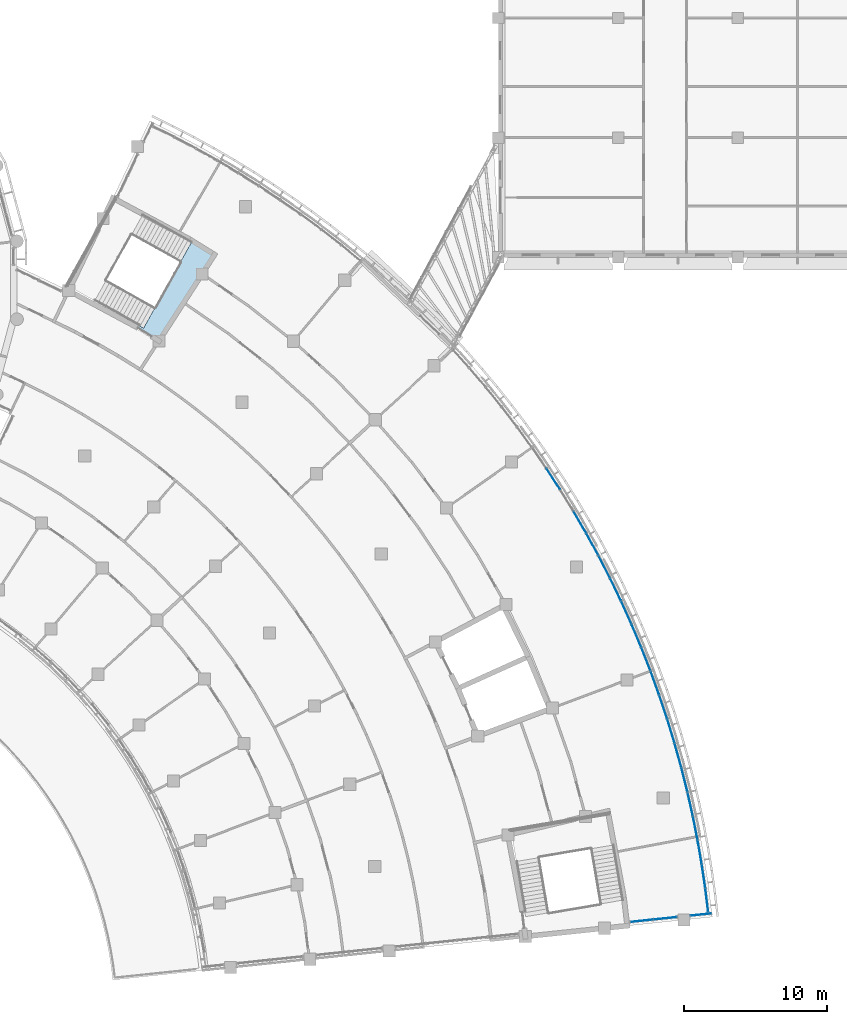
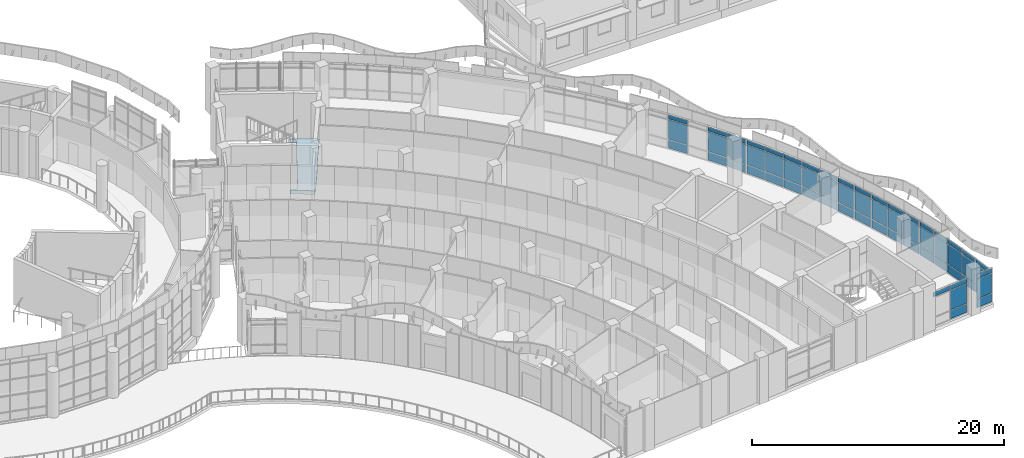
# One storey, part 51 of 136: 61 plates, 1 slab, 6 elements without a shape of their own.
"""IFC4 building model written with IfcOpenShell, lengths in metres."""

from ifc_helpers import new_model, si_unit, direction, frame, origin, origin_2d, place, context, subcontext, project, spatial, polyline, rectangle, outline, extrude, material, layer, layer_set, type_object, element, aggregate, save


model = new_model("IFC4")

# Units and contexts
model_context = context("Model", 3, precision=1e-05, world=origin(), true_north=direction((0.0, 1.0)))
body_context = subcontext(model_context, "Body", "Model", "MODEL_VIEW")
ifc_project = project(units=[si_unit("LENGTHUNIT", "METRE"), si_unit("AREAUNIT", "SQUARE_METRE"), si_unit("VOLUMEUNIT", "CUBIC_METRE"), si_unit("PLANEANGLEUNIT", "RADIAN"), si_unit("MASSUNIT", "GRAM", prefix="KILO")], contexts=[model_context])

# Site, building, storey
site_placement = place(None, origin())
site = spatial("IfcSite", under=ifc_project, at=site_placement, CompositionType="ELEMENT")
building_placement = place(site_placement, origin())
building = spatial("IfcBuilding", under=site, at=building_placement, Name="Bougainvillea Quay General Hospital", CompositionType="ELEMENT")
storey_placement = place(building_placement, frame((0.0, 0.0, 5.39990234375)))
storey = spatial("IfcBuildingStorey", under=building, at=storey_placement, Name="L01", CompositionType="ELEMENT", Elevation=5.39990234375)

# Curtain wall, plates
ifc_material_1 = material(Name="Aluminium curtain wall system, powder-coated glazed", Category="aluminium")
curtain_wall_type_1 = type_object("IfcCurtainWallType", Name="Unitised curtain wall CW-1691", PredefinedType="NOTDEFINED", material=ifc_material_1)
curtain_wall_1_placement = place(storey_placement, origin())
curtain_wall_1 = element("IfcCurtainWall", 1, at=curtain_wall_1_placement, inside=storey, type_object=curtain_wall_type_1, Name="CW-AE 04", PredefinedType="NOTDEFINED")
ifc_material_2 = material(Name="Insulated aluminium spandrel panel, white", Category="aluminium")
ifc_layer_1 = layer(ifc_material_2, 0.028076171875)
ifc_layer_set_1 = layer_set([ifc_layer_1], Name="Insulated aluminium spandrel panel, white")
plate_type_1 = type_object("IfcPlateType", Name="Insulated spandrel panel white 28", PredefinedType="CURTAIN_PANEL", material=ifc_layer_set_1)
plate_1_placement = place(storey_placement, frame((173.8525390625, 29.046630859375, 2.88037109375), z_axis=(0.0, 0.0, 1.0), x_axis=(0.9945220309, 0.104527173765, 0.0)))
plate_1 = element("IfcPlate", 2, at=plate_1_placement, type_object=plate_type_1, Name="CW-AE spandrel panel 1.3", PredefinedType="CURTAIN_PANEL", context=body_context, shape_type="SweptSolid", body=[
    extrude(rectangle(XDim=1.60009765625, YDim=0.028076171875, at=origin_2d()), origin(), (0.0, 0.0, 1.0), 0.409912109375),
])
plate_2_placement = place(storey_placement, frame((175.503662109375, 29.22021484375, 0.06005859375), z_axis=(0.0, 0.0, 1.0), x_axis=(0.9945220309, 0.104527173765, 0.0)))
plate_2 = element("IfcPlate", 3, at=plate_2_placement, type_object=plate_type_1, Name="CW-AE spandrel panel 2.1", PredefinedType="CURTAIN_PANEL", context=body_context, shape_type="SweptSolid", body=[
    extrude(rectangle(XDim=1.60009765625, YDim=0.028076171875, at=origin_2d()), origin(), (0.0, 0.0, 1.0), 0.81005859375),
])
plate_3_placement = place(storey_placement, frame((175.503662109375, 29.22021484375, 2.88037109375), z_axis=(0.0, 0.0, 1.0), x_axis=(0.9945220309, 0.104527173765, 0.0)))
plate_3 = element("IfcPlate", 4, at=plate_3_placement, type_object=plate_type_1, Name="CW-AE spandrel panel 2.3", PredefinedType="CURTAIN_PANEL", context=body_context, shape_type="SweptSolid", body=[
    extrude(rectangle(XDim=1.60009765625, YDim=0.028076171875, at=origin_2d()), origin(), (0.0, 0.0, 1.0), 0.409912109375),
])

curtain_wall_type_2 = type_object("IfcCurtainWallType", Name="Unitised curtain wall CW-1556", PredefinedType="NOTDEFINED", material=ifc_material_1)
curtain_wall_2_placement = place(storey_placement, origin())
curtain_wall_2 = element("IfcCurtainWall", 5, at=curtain_wall_2_placement, inside=storey, type_object=curtain_wall_type_2, Name="CW-AE 05", PredefinedType="NOTDEFINED")
plate_4_placement = place(storey_placement, frame((178.017333984375, 29.484375, 0.06005859375), z_axis=(0.0, 0.0, 1.0), x_axis=(0.9945220309, 0.104527173765, 0.0)))
plate_4 = element("IfcPlate", 6, at=plate_4_placement, type_object=plate_type_1, Name="CW-AE spandrel panel 1.1", PredefinedType="CURTAIN_PANEL", context=body_context, shape_type="SweptSolid", body=[
    extrude(rectangle(XDim=1.435302734375, YDim=0.028076171875, at=origin_2d()), origin(), (0.0, 0.0, 1.0), 0.81005859375),
])
plate_5_placement = place(storey_placement, frame((178.017333984375, 29.484375, 2.88037109375), z_axis=(0.0, 0.0, 1.0), x_axis=(0.9945220309, 0.104527173765, 0.0)))
plate_5 = element("IfcPlate", 7, at=plate_5_placement, type_object=plate_type_1, Name="CW-AE spandrel panel 1.3", PredefinedType="CURTAIN_PANEL", context=body_context, shape_type="SweptSolid", body=[
    extrude(rectangle(XDim=1.435302734375, YDim=0.028076171875, at=origin_2d()), origin(), (0.0, 0.0, 1.0), 0.409912109375),
])

curtain_wall_type_3 = type_object("IfcCurtainWallType", Name="Unitised curtain wall CW-2100", PredefinedType="NOTDEFINED", material=ifc_material_1)
curtain_wall_3_placement = place(storey_placement, origin())
curtain_wall_3 = element("IfcCurtainWall", 8, at=curtain_wall_3_placement, inside=storey, type_object=curtain_wall_type_3, Name="CW-E05 a23b4", PredefinedType="NOTDEFINED")
plate_6_placement = place(storey_placement, frame((167.654052734375, 60.04541015625, 0.06005859375), z_axis=(0.0, 0.0, 1.0), x_axis=(0.545493585615, -0.838114996915, 0.0)))
plate_6 = element("IfcPlate", 9, at=plate_6_placement, type_object=plate_type_1, Name="CW-E05 spandrel panel 2.1", PredefinedType="CURTAIN_PANEL", context=body_context, shape_type="SweptSolid", body=[
    extrude(rectangle(XDim=1.72021484375, YDim=0.028076171875, at=origin_2d()), origin(), (0.0, 0.0, 1.0), 0.81005859375),
])
plate_7_placement = place(storey_placement, frame((167.654052734375, 60.04541015625, 2.88037109375), z_axis=(0.0, 0.0, 1.0), x_axis=(0.545493585615, -0.838114996915, 0.0)))
plate_7 = element("IfcPlate", 10, at=plate_7_placement, type_object=plate_type_1, Name="CW-E05 spandrel panel 2.3", PredefinedType="CURTAIN_PANEL", context=body_context, shape_type="SweptSolid", body=[
    extrude(rectangle(XDim=1.72021484375, YDim=0.028076171875, at=origin_2d()), origin(), (0.0, 0.0, 1.0), 0.409912109375),
])
plate_8_placement = place(storey_placement, frame((169.519287109375, 57.01318359375, 0.06005859375), z_axis=(0.0, 0.0, 1.0), x_axis=(0.502018002187, -0.864857170567, 0.0)))
plate_8 = element("IfcPlate", 11, at=plate_8_placement, type_object=plate_type_1, Name="CW-E05 spandrel panel 4.1", PredefinedType="CURTAIN_PANEL", context=body_context, shape_type="SweptSolid", body=[
    extrude(rectangle(XDim=1.72021484375, YDim=0.028076171875, at=origin_2d()), origin(), (0.0, 0.0, 1.0), 0.81005859375),
])
plate_9_placement = place(storey_placement, frame((169.519287109375, 57.01318359375, 2.88037109375), z_axis=(0.0, 0.0, 1.0), x_axis=(0.502018002187, -0.864857170567, 0.0)))
plate_9 = element("IfcPlate", 12, at=plate_9_placement, type_object=plate_type_1, Name="CW-E05 spandrel panel 4.3", PredefinedType="CURTAIN_PANEL", context=body_context, shape_type="SweptSolid", body=[
    extrude(rectangle(XDim=1.72021484375, YDim=0.028076171875, at=origin_2d()), origin(), (0.0, 0.0, 1.0), 0.409912109375),
])
plate_10_placement = place(storey_placement, frame((170.385986328125, 55.4755859375, 0.06005859375), z_axis=(0.0, 0.0, 1.0), x_axis=(0.479782535044, -0.877387439543, 0.0)))
plate_10 = element("IfcPlate", 13, at=plate_10_placement, type_object=plate_type_1, Name="CW-E05 spandrel panel 5.1", PredefinedType="CURTAIN_PANEL", context=body_context, shape_type="SweptSolid", body=[
    extrude(rectangle(XDim=1.690185546875, YDim=0.028076171875, at=origin_2d()), origin(), (0.0, 0.0, 1.0), 0.81005859375),
])
plate_11_placement = place(storey_placement, frame((170.385986328125, 55.4755859375, 2.88037109375), z_axis=(0.0, 0.0, 1.0), x_axis=(0.479782535044, -0.877387439543, 0.0)))
plate_11 = element("IfcPlate", 14, at=plate_11_placement, type_object=plate_type_1, Name="CW-E05 spandrel panel 5.3", PredefinedType="CURTAIN_PANEL", context=body_context, shape_type="SweptSolid", body=[
    extrude(rectangle(XDim=1.690185546875, YDim=0.028076171875, at=origin_2d()), origin(), (0.0, 0.0, 1.0), 0.409912109375),
])

curtain_wall_4_placement = place(storey_placement, origin())
curtain_wall_4 = element("IfcCurtainWall", 15, at=curtain_wall_4_placement, inside=storey, type_object=curtain_wall_type_3, Name="CW-E06 a23b5", PredefinedType="NOTDEFINED")
plate_12_placement = place(storey_placement, frame((171.234130859375, 53.87646484375, 0.06005859375), z_axis=(0.0, 0.0, 1.0), x_axis=(0.457234526215, -0.889346157599, 0.0)))
plate_12 = element("IfcPlate", 16, at=plate_12_placement, type_object=plate_type_1, Name="CW-E06 spandrel panel 1.1", PredefinedType="CURTAIN_PANEL", context=body_context, shape_type="SweptSolid", body=[
    extrude(rectangle(XDim=1.690185546875, YDim=0.028076171875, at=origin_2d()), origin(), (0.0, 0.0, 1.0), 0.81005859375),
])
plate_13_placement = place(storey_placement, frame((171.234130859375, 53.87646484375, 2.88037109375), z_axis=(0.0, 0.0, 1.0), x_axis=(0.457234526215, -0.889346157599, 0.0)))
plate_13 = element("IfcPlate", 17, at=plate_13_placement, type_object=plate_type_1, Name="CW-E06 spandrel panel 1.3", PredefinedType="CURTAIN_PANEL", context=body_context, shape_type="SweptSolid", body=[
    extrude(rectangle(XDim=1.690185546875, YDim=0.028076171875, at=origin_2d()), origin(), (0.0, 0.0, 1.0), 0.409912109375),
])
plate_14_placement = place(storey_placement, frame((172.02099609375, 52.29638671875, 0.06005859375), z_axis=(0.0, 0.0, 1.0), x_axis=(0.434388664007, -0.900725534545, 0.0)))
plate_14 = element("IfcPlate", 18, at=plate_14_placement, type_object=plate_type_1, Name="CW-E06 spandrel panel 2.1", PredefinedType="CURTAIN_PANEL", context=body_context, shape_type="SweptSolid", body=[
    extrude(rectangle(XDim=1.72021484375, YDim=0.028076171875, at=origin_2d()), origin(), (0.0, 0.0, 1.0), 0.81005859375),
])
plate_15_placement = place(storey_placement, frame((172.02099609375, 52.29638671875, 2.88037109375), z_axis=(0.0, 0.0, 1.0), x_axis=(0.434388664007, -0.900725534545, 0.0)))
plate_15 = element("IfcPlate", 19, at=plate_15_placement, type_object=plate_type_1, Name="CW-E06 spandrel panel 2.3", PredefinedType="CURTAIN_PANEL", context=body_context, shape_type="SweptSolid", body=[
    extrude(rectangle(XDim=1.72021484375, YDim=0.028076171875, at=origin_2d()), origin(), (0.0, 0.0, 1.0), 0.409912109375),
])
plate_16_placement = place(storey_placement, frame((172.773681640625, 50.683349609375, 0.06005859375), z_axis=(0.0, 0.0, 1.0), x_axis=(0.411259830755, -0.911518157585, 0.0)))
plate_16 = element("IfcPlate", 20, at=plate_16_placement, type_object=plate_type_1, Name="CW-E06 spandrel panel 3.1", PredefinedType="CURTAIN_PANEL", context=body_context, shape_type="SweptSolid", body=[
    extrude(rectangle(XDim=1.72021484375, YDim=0.028076171875, at=origin_2d()), origin(), (0.0, 0.0, 1.0), 0.81005859375),
])
plate_17_placement = place(storey_placement, frame((172.773681640625, 50.683349609375, 2.88037109375), z_axis=(0.0, 0.0, 1.0), x_axis=(0.411259830755, -0.911518157585, 0.0)))
plate_17 = element("IfcPlate", 21, at=plate_17_placement, type_object=plate_type_1, Name="CW-E06 spandrel panel 3.3", PredefinedType="CURTAIN_PANEL", context=body_context, shape_type="SweptSolid", body=[
    extrude(rectangle(XDim=1.72021484375, YDim=0.028076171875, at=origin_2d()), origin(), (0.0, 0.0, 1.0), 0.409912109375),
])
plate_18_placement = place(storey_placement, frame((173.48486328125, 49.051513671875, 0.06005859375), z_axis=(0.0, 0.0, 1.0), x_axis=(0.387863093127, -0.921716996149, 0.0)))
plate_18 = element("IfcPlate", 22, at=plate_18_placement, type_object=plate_type_1, Name="CW-E06 spandrel panel 4.1", PredefinedType="CURTAIN_PANEL", context=body_context, shape_type="SweptSolid", body=[
    extrude(rectangle(XDim=1.72021484375, YDim=0.028076171875, at=origin_2d()), origin(), (0.0, 0.0, 1.0), 0.81005859375),
])
plate_19_placement = place(storey_placement, frame((173.48486328125, 49.051513671875, 2.88037109375), z_axis=(0.0, 0.0, 1.0), x_axis=(0.387863093127, -0.921716996149, 0.0)))
plate_19 = element("IfcPlate", 23, at=plate_19_placement, type_object=plate_type_1, Name="CW-E06 spandrel panel 4.3", PredefinedType="CURTAIN_PANEL", context=body_context, shape_type="SweptSolid", body=[
    extrude(rectangle(XDim=1.72021484375, YDim=0.028076171875, at=origin_2d()), origin(), (0.0, 0.0, 1.0), 0.409912109375),
])
plate_20_placement = place(storey_placement, frame((174.14892578125, 47.416015625, 0.06005859375), z_axis=(0.0, 0.0, 1.0), x_axis=(0.364213692311, -0.931315406472, 0.0)))
plate_20 = element("IfcPlate", 24, at=plate_20_placement, type_object=plate_type_1, Name="CW-E06 spandrel panel 5.1", PredefinedType="CURTAIN_PANEL", context=body_context, shape_type="SweptSolid", body=[
    extrude(rectangle(XDim=1.690185546875, YDim=0.028076171875, at=origin_2d()), origin(), (0.0, 0.0, 1.0), 0.81005859375),
])
plate_21_placement = place(storey_placement, frame((174.14892578125, 47.416015625, 2.88037109375), z_axis=(0.0, 0.0, 1.0), x_axis=(0.364213692311, -0.931315406472, 0.0)))
plate_21 = element("IfcPlate", 25, at=plate_21_placement, type_object=plate_type_1, Name="CW-E06 spandrel panel 5.3", PredefinedType="CURTAIN_PANEL", context=body_context, shape_type="SweptSolid", body=[
    extrude(rectangle(XDim=1.690185546875, YDim=0.028076171875, at=origin_2d()), origin(), (0.0, 0.0, 1.0), 0.409912109375),
])

curtain_wall_5_placement = place(storey_placement, origin())
curtain_wall_5 = element("IfcCurtainWall", 26, at=curtain_wall_5_placement, inside=storey, type_object=curtain_wall_type_3, Name="CW-E07 a23b6", PredefinedType="NOTDEFINED")
plate_22_placement = place(storey_placement, frame((174.78662109375, 45.721923828125, 0.06005859375), z_axis=(0.0, 0.0, 1.0), x_axis=(0.340327034086, -0.940307135924, 0.0)))
plate_22 = element("IfcPlate", 27, at=plate_22_placement, type_object=plate_type_1, Name="CW-E07 spandrel panel 1.1", PredefinedType="CURTAIN_PANEL", context=body_context, shape_type="SweptSolid", body=[
    extrude(rectangle(XDim=1.690185546875, YDim=0.028076171875, at=origin_2d()), origin(), (0.0, 0.0, 1.0), 0.81005859375),
])
plate_23_placement = place(storey_placement, frame((174.78662109375, 45.721923828125, 2.88037109375), z_axis=(0.0, 0.0, 1.0), x_axis=(0.340327034086, -0.940307135924, 0.0)))
plate_23 = element("IfcPlate", 28, at=plate_23_placement, type_object=plate_type_1, Name="CW-E07 spandrel panel 1.3", PredefinedType="CURTAIN_PANEL", context=body_context, shape_type="SweptSolid", body=[
    extrude(rectangle(XDim=1.690185546875, YDim=0.028076171875, at=origin_2d()), origin(), (0.0, 0.0, 1.0), 0.409912109375),
])
plate_24_placement = place(storey_placement, frame((175.365966796875, 44.0546875, 0.06005859375), z_axis=(0.0, 0.0, 1.0), x_axis=(0.316218678786, -0.948686327079, 0.0)))
plate_24 = element("IfcPlate", 29, at=plate_24_placement, type_object=plate_type_1, Name="CW-E07 spandrel panel 2.1", PredefinedType="CURTAIN_PANEL", context=body_context, shape_type="SweptSolid", body=[
    extrude(rectangle(XDim=1.72021484375, YDim=0.028076171875, at=origin_2d()), origin(), (0.0, 0.0, 1.0), 0.81005859375),
])
plate_25_placement = place(storey_placement, frame((175.365966796875, 44.0546875, 2.88037109375), z_axis=(0.0, 0.0, 1.0), x_axis=(0.316218678786, -0.948686327079, 0.0)))
plate_25 = element("IfcPlate", 30, at=plate_25_placement, type_object=plate_type_1, Name="CW-E07 spandrel panel 2.3", PredefinedType="CURTAIN_PANEL", context=body_context, shape_type="SweptSolid", body=[
    extrude(rectangle(XDim=1.72021484375, YDim=0.028076171875, at=origin_2d()), origin(), (0.0, 0.0, 1.0), 0.409912109375),
])
plate_26_placement = place(storey_placement, frame((175.9072265625, 42.35888671875, 0.06005859375), z_axis=(0.0, 0.0, 1.0), x_axis=(0.291904331163, -0.956447521534, 0.0)))
plate_26 = element("IfcPlate", 31, at=plate_26_placement, type_object=plate_type_1, Name="CW-E07 spandrel panel 3.1", PredefinedType="CURTAIN_PANEL", context=body_context, shape_type="SweptSolid", body=[
    extrude(rectangle(XDim=1.72021484375, YDim=0.028076171875, at=origin_2d()), origin(), (0.0, 0.0, 1.0), 0.81005859375),
])
plate_27_placement = place(storey_placement, frame((175.9072265625, 42.35888671875, 2.88037109375), z_axis=(0.0, 0.0, 1.0), x_axis=(0.291904331163, -0.956447521534, 0.0)))
plate_27 = element("IfcPlate", 32, at=plate_27_placement, type_object=plate_type_1, Name="CW-E07 spandrel panel 3.3", PredefinedType="CURTAIN_PANEL", context=body_context, shape_type="SweptSolid", body=[
    extrude(rectangle(XDim=1.72021484375, YDim=0.028076171875, at=origin_2d()), origin(), (0.0, 0.0, 1.0), 0.409912109375),
])
plate_28_placement = place(storey_placement, frame((176.405029296875, 40.649658203125, 0.06005859375), z_axis=(0.0, 0.0, 1.0), x_axis=(0.267399830158, -0.963585663463, 0.0)))
plate_28 = element("IfcPlate", 33, at=plate_28_placement, type_object=plate_type_1, Name="CW-E07 spandrel panel 4.1", PredefinedType="CURTAIN_PANEL", context=body_context, shape_type="SweptSolid", body=[
    extrude(rectangle(XDim=1.72021484375, YDim=0.028076171875, at=origin_2d()), origin(), (0.0, 0.0, 1.0), 0.81005859375),
])
plate_29_placement = place(storey_placement, frame((176.405029296875, 40.649658203125, 2.88037109375), z_axis=(0.0, 0.0, 1.0), x_axis=(0.267399830158, -0.963585663463, 0.0)))
plate_29 = element("IfcPlate", 34, at=plate_29_placement, type_object=plate_type_1, Name="CW-E07 spandrel panel 4.3", PredefinedType="CURTAIN_PANEL", context=body_context, shape_type="SweptSolid", body=[
    extrude(rectangle(XDim=1.72021484375, YDim=0.028076171875, at=origin_2d()), origin(), (0.0, 0.0, 1.0), 0.409912109375),
])
plate_30_placement = place(storey_placement, frame((176.85546875, 38.943115234375, 0.06005859375), z_axis=(0.0, 0.0, 1.0), x_axis=(0.242721138583, -0.970096102912, 0.0)))
plate_30 = element("IfcPlate", 35, at=plate_30_placement, type_object=plate_type_1, Name="CW-E07 spandrel panel 5.1", PredefinedType="CURTAIN_PANEL", context=body_context, shape_type="SweptSolid", body=[
    extrude(rectangle(XDim=1.690185546875, YDim=0.028076171875, at=origin_2d()), origin(), (0.0, 0.0, 1.0), 0.81005859375),
])
plate_31_placement = place(storey_placement, frame((176.85546875, 38.943115234375, 2.88037109375), z_axis=(0.0, 0.0, 1.0), x_axis=(0.242721138583, -0.970096102912, 0.0)))
plate_31 = element("IfcPlate", 36, at=plate_31_placement, type_object=plate_type_1, Name="CW-E07 spandrel panel 5.3", PredefinedType="CURTAIN_PANEL", context=body_context, shape_type="SweptSolid", body=[
    extrude(rectangle(XDim=1.690185546875, YDim=0.028076171875, at=origin_2d()), origin(), (0.0, 0.0, 1.0), 0.409912109375),
])

curtain_wall_6_placement = place(storey_placement, origin())
curtain_wall_6 = element("IfcCurtainWall", 37, at=curtain_wall_6_placement, inside=storey, type_object=curtain_wall_type_3, Name="CW-E08 a23b7", PredefinedType="NOTDEFINED")
plate_32_placement = place(storey_placement, frame((177.265625, 37.21435546875, 0.06005859375), z_axis=(0.0, 0.0, 1.0), x_axis=(0.218351478204, -0.97587019217, 0.0)))
plate_32 = element("IfcPlate", 38, at=plate_32_placement, type_object=plate_type_1, Name="CW-E08 spandrel panel 1.1", PredefinedType="CURTAIN_PANEL", context=body_context, shape_type="SweptSolid", body=[
    extrude(rectangle(XDim=1.62353515625, YDim=0.028076171875, at=origin_2d()), origin(), (0.0, 0.0, 1.0), 0.81005859375),
])
plate_33_placement = place(storey_placement, frame((177.265625, 37.21435546875, 2.88037109375), z_axis=(0.0, 0.0, 1.0), x_axis=(0.218351478204, -0.97587019217, 0.0)))
plate_33 = element("IfcPlate", 39, at=plate_33_placement, type_object=plate_type_1, Name="CW-E08 spandrel panel 1.3", PredefinedType="CURTAIN_PANEL", context=body_context, shape_type="SweptSolid", body=[
    extrude(rectangle(XDim=1.62353515625, YDim=0.028076171875, at=origin_2d()), origin(), (0.0, 0.0, 1.0), 0.409912109375),
])
plate_34_placement = place(storey_placement, frame((177.61572265625, 35.552490234375, 0.06005859375), z_axis=(0.0, 0.0, 1.0), x_axis=(0.194314432457, -0.98093929544, 0.0)))
plate_34 = element("IfcPlate", 40, at=plate_34_placement, type_object=plate_type_1, Name="CW-E08 spandrel panel 2.1", PredefinedType="CURTAIN_PANEL", context=body_context, shape_type="SweptSolid", body=[
    extrude(rectangle(XDim=1.653564453125, YDim=0.028076171875, at=origin_2d()), origin(), (0.0, 0.0, 1.0), 0.81005859375),
])
plate_35_placement = place(storey_placement, frame((177.61572265625, 35.552490234375, 2.88037109375), z_axis=(0.0, 0.0, 1.0), x_axis=(0.194314432457, -0.98093929544, 0.0)))
plate_35 = element("IfcPlate", 41, at=plate_35_placement, type_object=plate_type_1, Name="CW-E08 spandrel panel 2.3", PredefinedType="CURTAIN_PANEL", context=body_context, shape_type="SweptSolid", body=[
    extrude(rectangle(XDim=1.653564453125, YDim=0.028076171875, at=origin_2d()), origin(), (0.0, 0.0, 1.0), 0.409912109375),
])
plate_36_placement = place(storey_placement, frame((177.927978515625, 33.867919921875, 0.06005859375), z_axis=(0.0, 0.0, 1.0), x_axis=(0.170160122734, -0.985416426, 0.0)))
plate_36 = element("IfcPlate", 42, at=plate_36_placement, type_object=plate_type_1, Name="CW-E08 spandrel panel 3.1", PredefinedType="CURTAIN_PANEL", context=body_context, shape_type="SweptSolid", body=[
    extrude(rectangle(XDim=1.653564453125, YDim=0.028076171875, at=origin_2d()), origin(), (0.0, 0.0, 1.0), 0.81005859375),
])
plate_37_placement = place(storey_placement, frame((177.927978515625, 33.867919921875, 2.88037109375), z_axis=(0.0, 0.0, 1.0), x_axis=(0.170160122734, -0.985416426, 0.0)))
plate_37 = element("IfcPlate", 43, at=plate_37_placement, type_object=plate_type_1, Name="CW-E08 spandrel panel 3.3", PredefinedType="CURTAIN_PANEL", context=body_context, shape_type="SweptSolid", body=[
    extrude(rectangle(XDim=1.653564453125, YDim=0.028076171875, at=origin_2d()), origin(), (0.0, 0.0, 1.0), 0.409912109375),
])
plate_38_placement = place(storey_placement, frame((178.19873046875, 32.176025390625, 0.06005859375), z_axis=(0.0, 0.0, 1.0), x_axis=(0.145903125567, -0.989298882012, 0.0)))
plate_38 = element("IfcPlate", 44, at=plate_38_placement, type_object=plate_type_1, Name="CW-E08 spandrel panel 4.1", PredefinedType="CURTAIN_PANEL", context=body_context, shape_type="SweptSolid", body=[
    extrude(rectangle(XDim=1.653564453125, YDim=0.028076171875, at=origin_2d()), origin(), (0.0, 0.0, 1.0), 0.81005859375),
])
plate_39_placement = place(storey_placement, frame((178.19873046875, 32.176025390625, 2.88037109375), z_axis=(0.0, 0.0, 1.0), x_axis=(0.145903125567, -0.989298882012, 0.0)))
plate_39 = element("IfcPlate", 45, at=plate_39_placement, type_object=plate_type_1, Name="CW-E08 spandrel panel 4.3", PredefinedType="CURTAIN_PANEL", context=body_context, shape_type="SweptSolid", body=[
    extrude(rectangle(XDim=1.653564453125, YDim=0.028076171875, at=origin_2d()), origin(), (0.0, 0.0, 1.0), 0.409912109375),
])
plate_40_placement = place(storey_placement, frame((178.42626953125, 30.492919921875, 0.06005859375), z_axis=(0.0, 0.0, 1.0), x_axis=(0.121558079457, -0.992584320508, 0.0)))
plate_40 = element("IfcPlate", 46, at=plate_40_placement, type_object=plate_type_1, Name="CW-E08 spandrel panel 5.1", PredefinedType="CURTAIN_PANEL", context=body_context, shape_type="SweptSolid", body=[
    extrude(rectangle(XDim=1.62353515625, YDim=0.028076171875, at=origin_2d()), origin(), (0.0, 0.0, 1.0), 0.81005859375),
])
plate_41_placement = place(storey_placement, frame((178.42626953125, 30.492919921875, 2.88037109375), z_axis=(0.0, 0.0, 1.0), x_axis=(0.121558079457, -0.992584320508, 0.0)))
plate_41 = element("IfcPlate", 47, at=plate_41_placement, type_object=plate_type_1, Name="CW-E08 spandrel panel 5.3", PredefinedType="CURTAIN_PANEL", context=body_context, shape_type="SweptSolid", body=[
    extrude(rectangle(XDim=1.62353515625, YDim=0.028076171875, at=origin_2d()), origin(), (0.0, 0.0, 1.0), 0.409912109375),
])

# Plate
ifc_material_3 = material(Name="Low-e laminated glass, solar control", Category="glass")
ifc_layer_2 = layer(ifc_material_3, 0.028076171875)
ifc_layer_set_2 = layer_set([ifc_layer_2], Name="Low-e laminated glass, solar control")
plate_type_2 = type_object("IfcPlateType", Name="Low-e laminated vision glass 28", PredefinedType="CURTAIN_PANEL", material=ifc_layer_set_2)
plate_42_placement = place(storey_placement, frame((175.503662109375, 29.22021484375, 0.93017578125), z_axis=(0.0, 0.0, 1.0), x_axis=(0.9945220309, 0.104527173765, 0.0)))
plate_42 = element("IfcPlate", 48, at=plate_42_placement, type_object=plate_type_2, Name="CW-AE vision glass panel 2.2", PredefinedType="CURTAIN_PANEL", context=body_context, shape_type="SweptSolid", body=[
    extrude(rectangle(XDim=1.60009765625, YDim=0.028076171875, at=origin_2d()), origin(), (0.0, 0.0, 1.0), 1.889892578125),
])

aggregate(curtain_wall_1, [plate_1, plate_2, plate_42, plate_3])

plate_43_placement = place(storey_placement, frame((178.017333984375, 29.484375, 0.93017578125), z_axis=(0.0, 0.0, 1.0), x_axis=(0.9945220309, 0.104527173765, 0.0)))
plate_43 = element("IfcPlate", 49, at=plate_43_placement, type_object=plate_type_2, Name="CW-AE vision glass panel 1.2", PredefinedType="CURTAIN_PANEL", context=body_context, shape_type="SweptSolid", body=[
    extrude(rectangle(XDim=1.435302734375, YDim=0.028076171875, at=origin_2d()), origin(), (0.0, 0.0, 1.0), 1.889892578125),
])

aggregate(curtain_wall_2, [plate_4, plate_43, plate_5])

plate_44_placement = place(storey_placement, frame((167.654052734375, 60.04541015625, 0.93017578125), z_axis=(0.0, 0.0, 1.0), x_axis=(0.545493585615, -0.838114996915, 0.0)))
plate_44 = element("IfcPlate", 50, at=plate_44_placement, type_object=plate_type_2, Name="CW-E05 vision glass panel 2.2", PredefinedType="CURTAIN_PANEL", context=body_context, shape_type="SweptSolid", body=[
    extrude(rectangle(XDim=1.72021484375, YDim=0.028076171875, at=origin_2d()), origin(), (0.0, 0.0, 1.0), 1.889892578125),
])

plate_45_placement = place(storey_placement, frame((169.519287109375, 57.01318359375, 0.93017578125), z_axis=(0.0, 0.0, 1.0), x_axis=(0.502018002187, -0.864857170567, 0.0)))
plate_45 = element("IfcPlate", 51, at=plate_45_placement, type_object=plate_type_2, Name="CW-E05 vision glass panel 4.2", PredefinedType="CURTAIN_PANEL", context=body_context, shape_type="SweptSolid", body=[
    extrude(rectangle(XDim=1.72021484375, YDim=0.028076171875, at=origin_2d()), origin(), (0.0, 0.0, 1.0), 1.889892578125),
])

plate_46_placement = place(storey_placement, frame((170.385986328125, 55.4755859375, 0.93017578125), z_axis=(0.0, 0.0, 1.0), x_axis=(0.479782535044, -0.877387439543, 0.0)))
plate_46 = element("IfcPlate", 52, at=plate_46_placement, type_object=plate_type_2, Name="CW-E05 vision glass panel 5.2", PredefinedType="CURTAIN_PANEL", context=body_context, shape_type="SweptSolid", body=[
    extrude(rectangle(XDim=1.690185546875, YDim=0.028076171875, at=origin_2d()), origin(), (0.0, 0.0, 1.0), 1.889892578125),
])

aggregate(curtain_wall_3, [plate_6, plate_44, plate_7, plate_8, plate_45, plate_9, plate_10, plate_46, plate_11])

plate_47_placement = place(storey_placement, frame((171.234130859375, 53.87646484375, 0.93017578125), z_axis=(0.0, 0.0, 1.0), x_axis=(0.457234526215, -0.889346157599, 0.0)))
plate_47 = element("IfcPlate", 53, at=plate_47_placement, type_object=plate_type_2, Name="CW-E06 vision glass panel 1.2", PredefinedType="CURTAIN_PANEL", context=body_context, shape_type="SweptSolid", body=[
    extrude(rectangle(XDim=1.690185546875, YDim=0.028076171875, at=origin_2d()), origin(), (0.0, 0.0, 1.0), 1.889892578125),
])

plate_48_placement = place(storey_placement, frame((172.02099609375, 52.29638671875, 0.93017578125), z_axis=(0.0, 0.0, 1.0), x_axis=(0.434388664007, -0.900725534545, 0.0)))
plate_48 = element("IfcPlate", 54, at=plate_48_placement, type_object=plate_type_2, Name="CW-E06 vision glass panel 2.2", PredefinedType="CURTAIN_PANEL", context=body_context, shape_type="SweptSolid", body=[
    extrude(rectangle(XDim=1.72021484375, YDim=0.028076171875, at=origin_2d()), origin(), (0.0, 0.0, 1.0), 1.889892578125),
])

plate_49_placement = place(storey_placement, frame((172.773681640625, 50.683349609375, 0.93017578125), z_axis=(0.0, 0.0, 1.0), x_axis=(0.411259830755, -0.911518157585, 0.0)))
plate_49 = element("IfcPlate", 55, at=plate_49_placement, type_object=plate_type_2, Name="CW-E06 vision glass panel 3.2", PredefinedType="CURTAIN_PANEL", context=body_context, shape_type="SweptSolid", body=[
    extrude(rectangle(XDim=1.72021484375, YDim=0.028076171875, at=origin_2d()), origin(), (0.0, 0.0, 1.0), 1.889892578125),
])

plate_50_placement = place(storey_placement, frame((173.48486328125, 49.051513671875, 0.93017578125), z_axis=(0.0, 0.0, 1.0), x_axis=(0.387863093127, -0.921716996149, 0.0)))
plate_50 = element("IfcPlate", 56, at=plate_50_placement, type_object=plate_type_2, Name="CW-E06 vision glass panel 4.2", PredefinedType="CURTAIN_PANEL", context=body_context, shape_type="SweptSolid", body=[
    extrude(rectangle(XDim=1.72021484375, YDim=0.028076171875, at=origin_2d()), origin(), (0.0, 0.0, 1.0), 1.889892578125),
])

plate_51_placement = place(storey_placement, frame((174.14892578125, 47.416015625, 0.93017578125), z_axis=(0.0, 0.0, 1.0), x_axis=(0.364213692311, -0.931315406472, 0.0)))
plate_51 = element("IfcPlate", 57, at=plate_51_placement, type_object=plate_type_2, Name="CW-E06 vision glass panel 5.2", PredefinedType="CURTAIN_PANEL", context=body_context, shape_type="SweptSolid", body=[
    extrude(rectangle(XDim=1.690185546875, YDim=0.028076171875, at=origin_2d()), origin(), (0.0, 0.0, 1.0), 1.889892578125),
])

aggregate(curtain_wall_4, [plate_12, plate_47, plate_13, plate_14, plate_48, plate_15, plate_16, plate_49, plate_17, plate_18, plate_50, plate_19, plate_20, plate_51, plate_21])

plate_52_placement = place(storey_placement, frame((174.78662109375, 45.721923828125, 0.93017578125), z_axis=(0.0, 0.0, 1.0), x_axis=(0.340327034086, -0.940307135924, 0.0)))
plate_52 = element("IfcPlate", 58, at=plate_52_placement, type_object=plate_type_2, Name="CW-E07 vision glass panel 1.2", PredefinedType="CURTAIN_PANEL", context=body_context, shape_type="SweptSolid", body=[
    extrude(rectangle(XDim=1.690185546875, YDim=0.028076171875, at=origin_2d()), origin(), (0.0, 0.0, 1.0), 1.889892578125),
])

plate_53_placement = place(storey_placement, frame((175.365966796875, 44.0546875, 0.93017578125), z_axis=(0.0, 0.0, 1.0), x_axis=(0.316218678786, -0.948686327079, 0.0)))
plate_53 = element("IfcPlate", 59, at=plate_53_placement, type_object=plate_type_2, Name="CW-E07 vision glass panel 2.2", PredefinedType="CURTAIN_PANEL", context=body_context, shape_type="SweptSolid", body=[
    extrude(rectangle(XDim=1.72021484375, YDim=0.028076171875, at=origin_2d()), origin(), (0.0, 0.0, 1.0), 1.889892578125),
])

plate_54_placement = place(storey_placement, frame((175.9072265625, 42.35888671875, 0.93017578125), z_axis=(0.0, 0.0, 1.0), x_axis=(0.291904331163, -0.956447521534, 0.0)))
plate_54 = element("IfcPlate", 60, at=plate_54_placement, type_object=plate_type_2, Name="CW-E07 vision glass panel 3.2", PredefinedType="CURTAIN_PANEL", context=body_context, shape_type="SweptSolid", body=[
    extrude(rectangle(XDim=1.72021484375, YDim=0.028076171875, at=origin_2d()), origin(), (0.0, 0.0, 1.0), 1.889892578125),
])

plate_55_placement = place(storey_placement, frame((176.405029296875, 40.649658203125, 0.93017578125), z_axis=(0.0, 0.0, 1.0), x_axis=(0.267399830158, -0.963585663463, 0.0)))
plate_55 = element("IfcPlate", 61, at=plate_55_placement, type_object=plate_type_2, Name="CW-E07 vision glass panel 4.2", PredefinedType="CURTAIN_PANEL", context=body_context, shape_type="SweptSolid", body=[
    extrude(rectangle(XDim=1.72021484375, YDim=0.028076171875, at=origin_2d()), origin(), (0.0, 0.0, 1.0), 1.889892578125),
])

plate_56_placement = place(storey_placement, frame((176.85546875, 38.943115234375, 0.93017578125), z_axis=(0.0, 0.0, 1.0), x_axis=(0.242721138583, -0.970096102912, 0.0)))
plate_56 = element("IfcPlate", 62, at=plate_56_placement, type_object=plate_type_2, Name="CW-E07 vision glass panel 5.2", PredefinedType="CURTAIN_PANEL", context=body_context, shape_type="SweptSolid", body=[
    extrude(rectangle(XDim=1.690185546875, YDim=0.028076171875, at=origin_2d()), origin(), (0.0, 0.0, 1.0), 1.889892578125),
])

aggregate(curtain_wall_5, [plate_22, plate_52, plate_23, plate_24, plate_53, plate_25, plate_26, plate_54, plate_27, plate_28, plate_55, plate_29, plate_30, plate_56, plate_31])

plate_57_placement = place(storey_placement, frame((177.265625, 37.21435546875, 0.93017578125), z_axis=(0.0, 0.0, 1.0), x_axis=(0.218351478204, -0.97587019217, 0.0)))
plate_57 = element("IfcPlate", 63, at=plate_57_placement, type_object=plate_type_2, Name="CW-E08 vision glass panel 1.2", PredefinedType="CURTAIN_PANEL", context=body_context, shape_type="SweptSolid", body=[
    extrude(rectangle(XDim=1.62353515625, YDim=0.028076171875, at=origin_2d()), origin(), (0.0, 0.0, 1.0), 1.889892578125),
])

plate_58_placement = place(storey_placement, frame((177.61572265625, 35.552490234375, 0.93017578125), z_axis=(0.0, 0.0, 1.0), x_axis=(0.194314432457, -0.98093929544, 0.0)))
plate_58 = element("IfcPlate", 64, at=plate_58_placement, type_object=plate_type_2, Name="CW-E08 vision glass panel 2.2", PredefinedType="CURTAIN_PANEL", context=body_context, shape_type="SweptSolid", body=[
    extrude(rectangle(XDim=1.653564453125, YDim=0.028076171875, at=origin_2d()), origin(), (0.0, 0.0, 1.0), 1.889892578125),
])

plate_59_placement = place(storey_placement, frame((177.927978515625, 33.867919921875, 0.93017578125), z_axis=(0.0, 0.0, 1.0), x_axis=(0.170160122734, -0.985416426, 0.0)))
plate_59 = element("IfcPlate", 65, at=plate_59_placement, type_object=plate_type_2, Name="CW-E08 vision glass panel 3.2", PredefinedType="CURTAIN_PANEL", context=body_context, shape_type="SweptSolid", body=[
    extrude(rectangle(XDim=1.653564453125, YDim=0.028076171875, at=origin_2d()), origin(), (0.0, 0.0, 1.0), 1.889892578125),
])

plate_60_placement = place(storey_placement, frame((178.19873046875, 32.176025390625, 0.93017578125), z_axis=(0.0, 0.0, 1.0), x_axis=(0.145903125567, -0.989298882012, 0.0)))
plate_60 = element("IfcPlate", 66, at=plate_60_placement, type_object=plate_type_2, Name="CW-E08 vision glass panel 4.2", PredefinedType="CURTAIN_PANEL", context=body_context, shape_type="SweptSolid", body=[
    extrude(rectangle(XDim=1.653564453125, YDim=0.028076171875, at=origin_2d()), origin(), (0.0, 0.0, 1.0), 1.889892578125),
])

plate_61_placement = place(storey_placement, frame((178.42626953125, 30.492919921875, 0.93017578125), z_axis=(0.0, 0.0, 1.0), x_axis=(0.121558079457, -0.992584320508, 0.0)))
plate_61 = element("IfcPlate", 67, at=plate_61_placement, type_object=plate_type_2, Name="CW-E08 vision glass panel 5.2", PredefinedType="CURTAIN_PANEL", context=body_context, shape_type="SweptSolid", body=[
    extrude(rectangle(XDim=1.62353515625, YDim=0.028076171875, at=origin_2d()), origin(), (0.0, 0.0, 1.0), 1.889892578125),
])

aggregate(curtain_wall_6, [plate_32, plate_57, plate_33, plate_34, plate_58, plate_35, plate_36, plate_59, plate_37, plate_38, plate_60, plate_39, plate_40, plate_61, plate_41])

# Slab
ifc_material_4 = material(Name="Concrete C35", Category="concrete")
ifc_layer_3 = layer(ifc_material_4, 0.35009765625)
ifc_layer_set_3 = layer_set([ifc_layer_3], Name="Concrete C35")
slab_type = type_object("IfcSlabType", Name="RC FLAT SLAB 350 C35", PredefinedType="FLOOR", material=ifc_layer_set_3)
slab_placement = place(storey_placement, frame((0.0, 0.0, -0.349853515625)))
element("IfcSlab", 68, at=slab_placement, inside=storey, type_object=slab_type, Name="Stair landing floor ST-E1 L01", PredefinedType="FLOOR", context=body_context, shape_type="SweptSolid", body=[
    extrude(outline(polyline([(141.918701171875, 72.65380859375), (140.1650390625, 69.93408203125), (140.12109375, 69.95849609375), (139.97900390625, 69.738037109375), (138.44091796875, 70.695068359375), (138.318359375, 70.765869140625), (138.33349609375, 70.82177734375), (138.354248046875, 70.876708984375), (138.3798828125, 70.9287109375), (138.90478515625, 70.636474609375), (142.294677734375, 76.71337890625), (141.7705078125, 77.00634765625), (141.801025390625, 77.055419921875), (141.80810546875, 77.064208984375), (142.14697265625, 76.867919921875), (143.279296875, 76.163330078125), (143.73486328125, 75.9091796875), (143.72265625, 75.887451171875), (143.881103515625, 75.7890625), (142.30029296875, 73.337646484375), (141.918701171875, 72.65380859375)])), origin(), (0.0, 0.0, 1.0), 0.349853515625),
])

save(model, "model.ifc")
